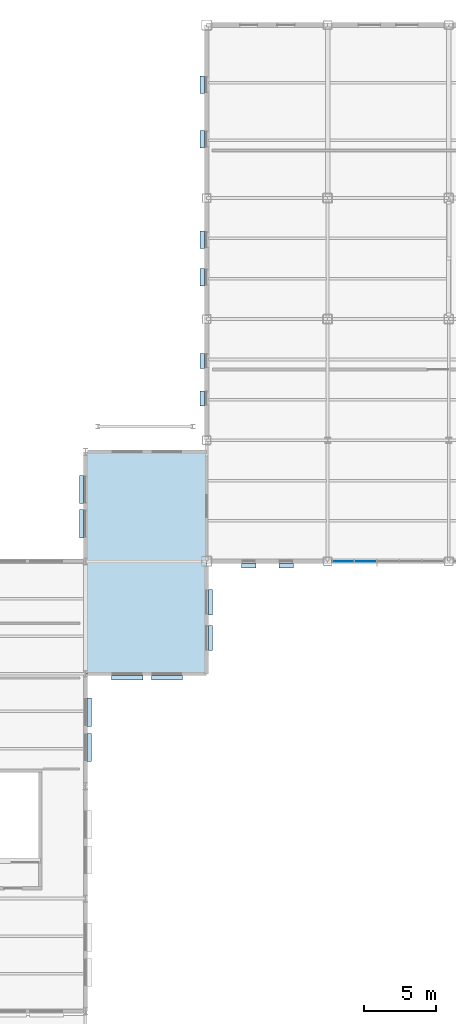
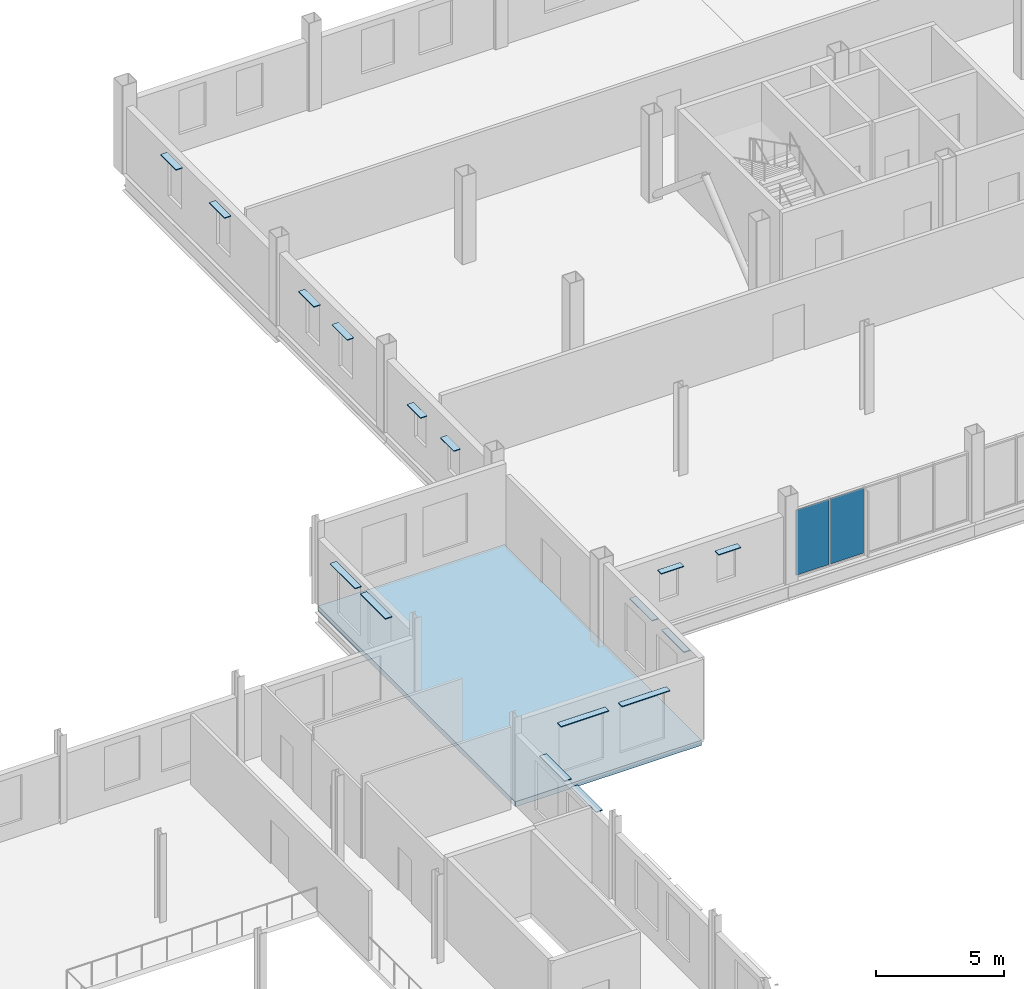
# One storey, part 23 of 45: 18 plates, 1 slab, 1 element without a shape of its own.
"""IFC4 building model written with IfcOpenShell, lengths in metres."""

from ifc_helpers import new_model, si_unit, direction, frame, origin, origin_2d, place, context, subcontext, project, spatial, polyline, rectangle, outline, extrude, material, layer, layer_set, type_object, element, aggregate, save


model = new_model("IFC4")

# Units and contexts
model_context = context("Model", 3, precision=1e-05, world=origin(), true_north=direction((0.0, 1.0)))
body_context = subcontext(model_context, "Body", "Model", "MODEL_VIEW")
ifc_project = project(units=[si_unit("LENGTHUNIT", "METRE"), si_unit("AREAUNIT", "SQUARE_METRE"), si_unit("VOLUMEUNIT", "CUBIC_METRE"), si_unit("PLANEANGLEUNIT", "RADIAN"), si_unit("MASSUNIT", "GRAM", prefix="KILO")], contexts=[model_context])

# Site, building, storey
site_placement = place(None, origin())
site = spatial("IfcSite", under=ifc_project, at=site_placement, CompositionType="ELEMENT")
building_placement = place(site_placement, origin())
building = spatial("IfcBuilding", under=site, at=building_placement, Name="Yukiwa Park Conservatory and Herbarium", CompositionType="ELEMENT")
storey_placement = place(building_placement, frame((0.0, 0.0, 9.0)))
storey = spatial("IfcBuildingStorey", under=building, at=storey_placement, Name="L02", CompositionType="ELEMENT", Elevation=9.0)

# Curtain wall, plates
ifc_material_1 = material(Name="Triple Low-E Insulated Glass", Category="glass")
ifc_layer_1 = layer(ifc_material_1, 0.199951171875)
ifc_layer_set_1 = layer_set([ifc_layer_1], Name="Triple Low-E Insulated Glass")
curtain_wall_type = type_object("IfcCurtainWallType", Name="CW-VISITOR-1600", PredefinedType="NOTDEFINED", material=ifc_layer_set_1)
curtain_wall_placement = place(storey_placement, origin())
curtain_wall = element("IfcCurtainWall", 1, at=curtain_wall_placement, inside=storey, type_object=curtain_wall_type, Name="L02 unitised curtain wall CW-L02-062", PredefinedType="NOTDEFINED")
ifc_material_2 = material(Name="Triple Low-E Insulated Glass", Category="glass")
ifc_layer_2 = layer(ifc_material_2, 0.035888671875)
ifc_layer_set_2 = layer_set([ifc_layer_2], Name="Triple Low-E Insulated Glass")
plate_type_1 = type_object("IfcPlateType", Name="PL-CW-GLZ-36", PredefinedType="CURTAIN_PANEL", material=ifc_layer_set_2)
plate_1_placement = place(storey_placement, frame((125.8798828125, 78.0, 0.070068359375), z_axis=(0.0, 0.0, 1.0), x_axis=(1.0, 0.0, 0.0)))
plate_1 = element("IfcPlate", 2, at=plate_1_placement, type_object=plate_type_1, Name="CW-L02-062 vision panel 1.1", PredefinedType="CURTAIN_PANEL", context=body_context, shape_type="SweptSolid", body=[
    extrude(rectangle(XDim=1.489990234375, YDim=0.035888671875, at=origin_2d()), origin(), (0.0, 0.0, 1.0), 3.10302734375),
])
plate_2_placement = place(storey_placement, frame((127.43994140625, 78.0, 0.070068359375), z_axis=(0.0, 0.0, 1.0), x_axis=(1.0, 0.0, 0.0)))
plate_2 = element("IfcPlate", 3, at=plate_2_placement, type_object=plate_type_1, Name="CW-L02-062 vision panel 2.1", PredefinedType="CURTAIN_PANEL", context=body_context, shape_type="SweptSolid", body=[
    extrude(rectangle(XDim=1.489990234375, YDim=0.035888671875, at=origin_2d()), origin(), (0.0, 0.0, 1.0), 3.10302734375),
])
aggregate(curtain_wall, [plate_1, plate_2])

# Plates
ifc_material_3 = material(Name="Anodised Aluminium", Category="aluminium")
ifc_layer_3 = layer(ifc_material_3, 0.0400390625)
ifc_layer_set_3 = layer_set([ifc_layer_3], Name="Anodised Aluminium")
plate_type_2 = type_object("IfcPlateType", Name="PL-SHADE-ALU-40", PredefinedType="SHEET", material=ifc_layer_set_3)
for number, where, z_axis, x_axis, name in (
    (4, (108.27001953125, 65.0869140625, 3.1298828125), (0.0, 0.0, 1.0), (0.0, 1.0, 0.0), "L02 snow-shedding window hood 83"),
    (5, (108.27001953125, 67.533935546875, 3.1298828125), (0.0, 0.0, 1.0), (0.0, 1.0, 0.0), "L02 snow-shedding window hood 84"),
):
    element("IfcPlate", number, at=place(storey_placement, frame(where, z_axis=z_axis, x_axis=x_axis)), inside=storey, type_object=plate_type_2, Name=name, PredefinedType="SHEET", context=body_context, shape_type="SweptSolid", body=[
        extrude(rectangle(XDim=1.9599609375, YDim=0.300048828125, at=origin_2d()), origin(), (0.0, 0.0, 1.0), 0.0400390625),
    ])
for number, where, z_axis, x_axis, name in (
    (6, (110.89990234375, 69.929931640625, 3.169921875), (0.0, 0.0, 1.0), (1.0, 0.0, 0.0), "L02 snow-shedding window hood 85"),
    (7, (113.64990234375, 69.929931640625, 3.169921875), (0.0, 0.0, 1.0), (1.0, 0.0, 0.0), "L02 snow-shedding window hood 86"),
):
    element("IfcPlate", number, at=place(storey_placement, frame(where, z_axis=z_axis, x_axis=x_axis)), inside=storey, type_object=plate_type_2, Name=name, PredefinedType="SHEET", context=body_context, shape_type="SweptSolid", body=[
        extrude(rectangle(XDim=2.159912109375, YDim=0.300048828125, at=origin_2d()), origin(), (0.0, 0.0, 1.0), 0.0400390625),
    ])
for number, where, z_axis, x_axis, name in (
    (8, (116.669921875, 72.68310546875, 3.139892578125), (0.0, 0.0, 1.0), (0.0, 1.0, 0.0), "L02 snow-shedding window hood 87"),
    (9, (116.669921875, 75.1669921875, 3.139892578125), (0.0, 0.0, 1.0), (0.0, 1.0, 0.0), "L02 snow-shedding window hood 88"),
):
    element("IfcPlate", number, at=place(storey_placement, frame(where, z_axis=z_axis, x_axis=x_axis)), inside=storey, type_object=plate_type_2, Name=name, PredefinedType="SHEET", context=body_context, shape_type="SweptSolid", body=[
        extrude(rectangle(XDim=1.760009765625, YDim=0.300048828125, at=origin_2d()), origin(), (0.0, 0.0, 1.0), 0.0400390625),
    ])
for number, where, z_axis, x_axis, name in (
    (10, (119.3330078125, 77.699951171875, 2.590087890625), (0.0, 0.0, 1.0), (1.0, 0.0, 0.0), "L02 snow-shedding window hood 89"),
    (11, (121.9169921875, 77.699951171875, 2.590087890625), (0.0, 0.0, 1.0), (1.0, 0.0, 0.0), "L02 snow-shedding window hood 90"),
):
    element("IfcPlate", number, at=place(storey_placement, frame(where, z_axis=z_axis, x_axis=x_axis)), inside=storey, type_object=plate_type_2, Name=name, PredefinedType="SHEET", context=body_context, shape_type="SweptSolid", body=[
        extrude(rectangle(XDim=1.010009765625, YDim=0.300048828125, at=origin_2d()), origin(), (0.0, 0.0, 1.0), 0.0400390625),
    ])
for number, where, z_axis, x_axis, name in (
    (12, (116.10009765625, 111.06689453125, 2.889892578125), (0.0, 0.0, 1.0), (0.0, -1.0, 0.0), "L02 snow-shedding window hood 99"),
    (13, (116.10009765625, 107.282958984375, 2.889892578125), (0.0, 0.0, 1.0), (0.0, -1.0, 0.0), "L02 snow-shedding window hood 100"),
    (14, (116.10009765625, 100.300048828125, 2.889892578125), (0.0, 0.0, 1.0), (0.0, -1.0, 0.0), "L02 snow-shedding window hood 101"),
    (15, (116.10009765625, 97.699951171875, 2.889892578125), (0.0, 0.0, 1.0), (0.0, -1.0, 0.0), "L02 snow-shedding window hood 102"),
):
    element("IfcPlate", number, at=place(storey_placement, frame(where, z_axis=z_axis, x_axis=x_axis)), inside=storey, type_object=plate_type_2, Name=name, PredefinedType="SHEET", context=body_context, shape_type="SweptSolid", body=[
        extrude(rectangle(XDim=1.2099609375, YDim=0.300048828125, at=origin_2d()), origin(), (0.0, 0.0, 1.0), 0.0400390625),
    ])
for number, where, z_axis, x_axis, name in (
    (16, (116.10009765625, 91.89990234375, 2.639892578125), (0.0, 0.0, 1.0), (0.0, -1.0, 0.0), "L02 snow-shedding window hood 103"),
    (17, (116.10009765625, 89.300048828125, 2.639892578125), (0.0, 0.0, 1.0), (0.0, -1.0, 0.0), "L02 snow-shedding window hood 104"),
):
    element("IfcPlate", number, at=place(storey_placement, frame(where, z_axis=z_axis, x_axis=x_axis)), inside=storey, type_object=plate_type_2, Name=name, PredefinedType="SHEET", context=body_context, shape_type="SweptSolid", body=[
        extrude(rectangle(XDim=1.06005859375, YDim=0.300048828125, at=origin_2d()), origin(), (0.0, 0.0, 1.0), 0.0400390625),
    ])
for number, where, z_axis, x_axis, name in (
    (18, (107.72998046875, 82.97705078125, 3.1298828125), (0.0, 0.0, 1.0), (0.0, -1.0, 0.0), "L02 snow-shedding window hood 105"),
    (19, (107.72998046875, 80.59912109375, 3.1298828125), (0.0, 0.0, 1.0), (0.0, -1.0, 0.0), "L02 snow-shedding window hood 106"),
):
    element("IfcPlate", number, at=place(storey_placement, frame(where, z_axis=z_axis, x_axis=x_axis)), inside=storey, type_object=plate_type_2, Name=name, PredefinedType="SHEET", context=body_context, shape_type="SweptSolid", body=[
        extrude(rectangle(XDim=1.9599609375, YDim=0.300048828125, at=origin_2d()), origin(), (0.0, 0.0, 1.0), 0.0400390625),
    ])

# Slab
ifc_material_4 = material(Name="Concrete C40", Category="concrete")
ifc_layer_4 = layer(ifc_material_4, 0.2451171875)
ifc_layer_set_4 = layer_set([ifc_layer_4], Name="Concrete C40")
slab_type = type_object("IfcSlabType", Name="SL-FLR-245", PredefinedType="FLOOR", material=ifc_layer_set_4)
slab_placement = place(storey_placement, frame((0.0, 0.0, -0.2451171875)))
element("IfcSlab", 20, at=slab_placement, inside=storey, type_object=slab_type, Name="L02 composite structural floor slab LNKVT", PredefinedType="FLOOR", context=body_context, shape_type="SweptSolid", body=[
    extrude(outline(polyline([(108.0, 70.199951171875), (108.0, 85.60009765625), (116.39990234375, 85.60009765625), (116.39990234375, 70.199951171875), (108.0, 70.199951171875)])), origin(), (0.0, 0.0, 1.0), 0.2451171875),
])

save(model, "model.ifc")
